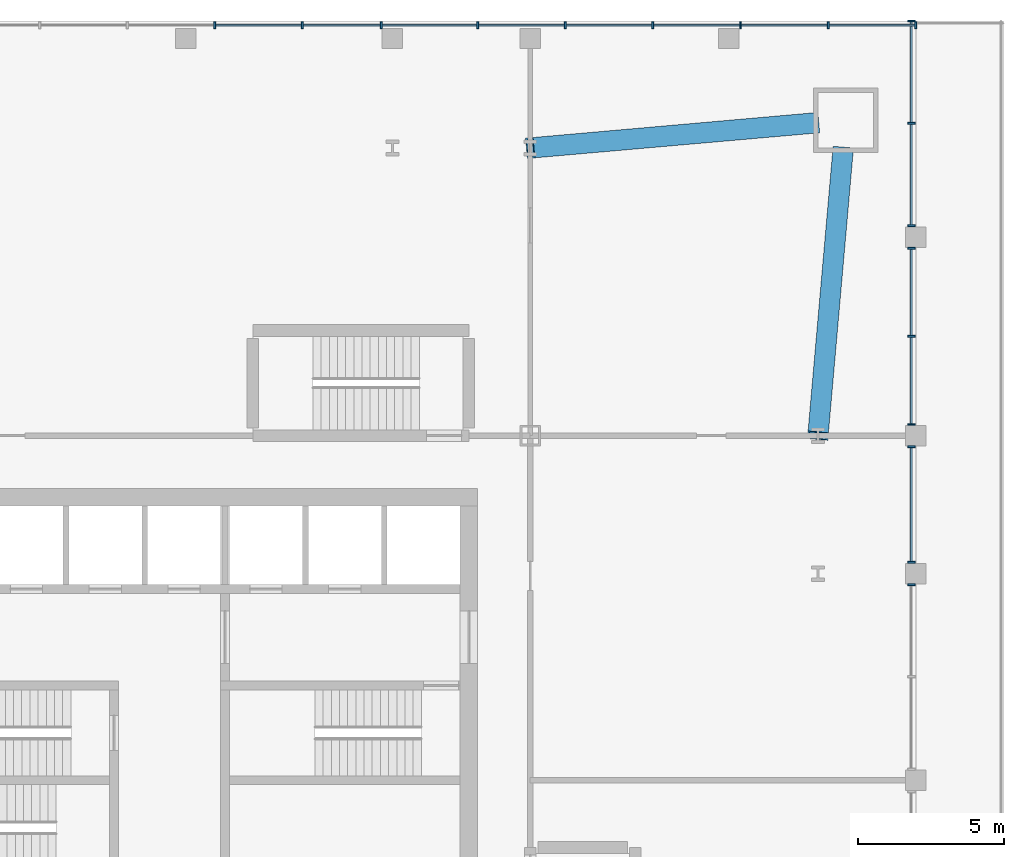
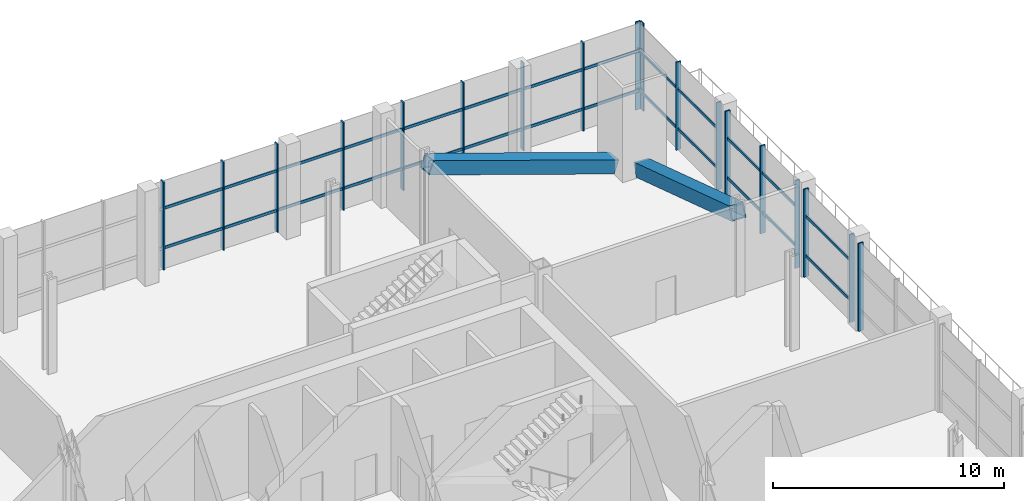
# One storey, part 5 of 12: 46 members, 5 elements without a shape of their own.
"""IFC4 building model written with IfcOpenShell, lengths in metres."""

from ifc_helpers import new_model, si_unit, direction, frame, origin, origin_2d, place, context, subcontext, project, spatial, rectangle, hollow_rectangle, extrude, material, material_profile, profile_set, type_object, element, aggregate, save


model = new_model("IFC4")

# Units and contexts
model_context = context("Model", 3, precision=1e-05, world=origin(), true_north=direction((0.0, 1.0)))
body_context = subcontext(model_context, "Body", "Model", "MODEL_VIEW")
ifc_project = project(units=[si_unit("LENGTHUNIT", "METRE"), si_unit("AREAUNIT", "SQUARE_METRE"), si_unit("VOLUMEUNIT", "CUBIC_METRE"), si_unit("PLANEANGLEUNIT", "RADIAN"), si_unit("MASSUNIT", "GRAM", prefix="KILO")], contexts=[model_context])

# Site, building, storey
site_placement = place(None, origin())
site = spatial("IfcSite", under=ifc_project, at=site_placement, CompositionType="ELEMENT")
building_placement = place(site_placement, origin())
building = spatial("IfcBuilding", under=site, at=building_placement, Name="Turquesa Mirador Hotel Tower", CompositionType="ELEMENT")
storey_placement = place(building_placement, frame((0.0, 0.0, 11.0)))
storey = spatial("IfcBuildingStorey", under=building, at=storey_placement, Name="L02", CompositionType="ELEMENT", Elevation=11.0)

# Curtain wall, member
ifc_material_1 = material(Name="Aluminium extrusion", Category="aluminium")
curtain_wall_type = type_object("IfcCurtainWallType", Name="CW-2 PODIUM CURTAIN WALL", PredefinedType="USERDEFINED", material=ifc_material_1)
curtain_wall_1_placement = place(storey_placement, origin())
curtain_wall_1 = element("IfcCurtainWall", 1, at=curtain_wall_1_placement, inside=storey, type_object=curtain_wall_type, Name="CW-2 PODIUM CURTAIN WALL L02", ObjectType="CURTAIN WALL", PredefinedType="USERDEFINED")
ifc_material_2 = material(Name="Aluminium extrusion", Category="aluminium")
ifc_material_profile_1 = material_profile(ifc_material_2, rectangle(XDim=0.06494140625, YDim=0.25, at=origin_2d()), Name="MULLION 65X250")
ifc_profile_set_1 = profile_set([ifc_material_profile_1], Name="Aluminium extrusion")
member_type_1 = type_object("IfcMemberType", Name="CW MULLION 65X250", PredefinedType="MULLION", material=ifc_profile_set_1)
member_1_placement = place(storey_placement, frame((79.85009765625, 51.695556640625, 0.0), z_axis=(0.0, 0.0, 1.0), x_axis=(0.0, 1.0, 0.0)))
member_1 = element("IfcMember", 2, at=member_1_placement, type_object=member_type_1, Name="Mullion", PredefinedType="MULLION", context=body_context, shape_type="SweptSolid", body=[
    extrude(rectangle(XDim=0.06494140625, YDim=0.25, at=origin_2d()), origin(), (0.0, 0.0, 1.0), 4.64990234375),
])
aggregate(curtain_wall_1, [member_1])

# Curtain wall, members
curtain_wall_2_placement = place(storey_placement, origin())
curtain_wall_2 = element("IfcCurtainWall", 3, at=curtain_wall_2_placement, inside=storey, type_object=curtain_wall_type, Name="CW-2 PODIUM CURTAIN WALL L02", ObjectType="CURTAIN WALL", PredefinedType="USERDEFINED")
member_2_placement = place(storey_placement, frame((79.85009765625, 52.464599609375, 0.0), z_axis=(0.0, 0.0, 1.0), x_axis=(0.0, 1.0, 0.0)))
member_2 = element("IfcMember", 4, at=member_2_placement, type_object=member_type_1, Name="Mullion", PredefinedType="MULLION", context=body_context, shape_type="SweptSolid", body=[
    extrude(rectangle(XDim=0.06494140625, YDim=0.25, at=origin_2d()), origin(), (0.0, 0.0, 1.0), 4.64990234375),
])
member_3_placement = place(storey_placement, frame((79.85009765625, 56.41552734375, 0.0), z_axis=(0.0, 0.0, 1.0), x_axis=(0.0, 1.0, 0.0)))
member_3 = element("IfcMember", 5, at=member_3_placement, type_object=member_type_1, Name="Mullion", PredefinedType="MULLION", context=body_context, shape_type="SweptSolid", body=[
    extrude(rectangle(XDim=0.06494140625, YDim=0.25, at=origin_2d()), origin(), (0.0, 0.0, 1.0), 4.64990234375),
])

curtain_wall_3_placement = place(storey_placement, origin())
curtain_wall_3 = element("IfcCurtainWall", 6, at=curtain_wall_3_placement, inside=storey, type_object=curtain_wall_type, Name="CW-2 PODIUM CURTAIN WALL L02", ObjectType="CURTAIN WALL", PredefinedType="USERDEFINED")
member_4_placement = place(storey_placement, frame((79.85009765625, 57.1845703125, 0.0), z_axis=(0.0, 0.0, 1.0), x_axis=(0.0, 1.0, 0.0)))
member_4 = element("IfcMember", 7, at=member_4_placement, type_object=member_type_1, Name="Mullion", PredefinedType="MULLION", context=body_context, shape_type="SweptSolid", body=[
    extrude(rectangle(XDim=0.06494140625, YDim=0.25, at=origin_2d()), origin(), (0.0, 0.0, 1.0), 4.64990234375),
])
member_5_placement = place(storey_placement, frame((79.85009765625, 60.199951171875, 0.0), z_axis=(0.0, 0.0, 1.0), x_axis=(0.0, 1.0, 0.0)))
member_5 = element("IfcMember", 8, at=member_5_placement, type_object=member_type_1, Name="Mullion", PredefinedType="MULLION", context=body_context, shape_type="SweptSolid", body=[
    extrude(rectangle(XDim=0.06494140625, YDim=0.25, at=origin_2d()), origin(), (0.0, 0.0, 1.0), 4.64990234375),
])
member_6_placement = place(storey_placement, frame((79.85009765625, 63.215576171875, 0.0), z_axis=(0.0, 0.0, 1.0), x_axis=(0.0, 1.0, 0.0)))
member_6 = element("IfcMember", 9, at=member_6_placement, type_object=member_type_1, Name="Mullion", PredefinedType="MULLION", context=body_context, shape_type="SweptSolid", body=[
    extrude(rectangle(XDim=0.06494140625, YDim=0.25, at=origin_2d()), origin(), (0.0, 0.0, 1.0), 4.64990234375),
])

curtain_wall_4_placement = place(storey_placement, origin())
curtain_wall_4 = element("IfcCurtainWall", 10, at=curtain_wall_4_placement, inside=storey, type_object=curtain_wall_type, Name="CW-2 PODIUM CURTAIN WALL L02", ObjectType="CURTAIN WALL", PredefinedType="USERDEFINED")
member_7_placement = place(storey_placement, frame((79.85009765625, 63.984619140625, 0.0), z_axis=(0.0, 0.0, 1.0), x_axis=(0.0, 1.0, 0.0)))
member_7 = element("IfcMember", 11, at=member_7_placement, type_object=member_type_1, Name="Mullion", PredefinedType="MULLION", context=body_context, shape_type="SweptSolid", body=[
    extrude(rectangle(XDim=0.06494140625, YDim=0.25, at=origin_2d()), origin(), (0.0, 0.0, 1.0), 4.64990234375),
])
member_8_placement = place(storey_placement, frame((79.85009765625, 67.4921875, 0.0), z_axis=(0.0, 0.0, 1.0), x_axis=(0.0, 1.0, 0.0)))
member_8 = element("IfcMember", 12, at=member_8_placement, type_object=member_type_1, Name="Mullion", PredefinedType="MULLION", context=body_context, shape_type="SweptSolid", body=[
    extrude(rectangle(XDim=0.06494140625, YDim=0.25, at=origin_2d()), origin(), (0.0, 0.0, 1.0), 4.64990234375),
])
member_9_placement = place(storey_placement, frame((79.85009765625, 71.0, 0.0), z_axis=(0.0, 0.0, 1.0), x_axis=(0.0, 1.0, 0.0)))
member_9 = element("IfcMember", 13, at=member_9_placement, type_object=member_type_1, Name="Mullion", PredefinedType="MULLION", context=body_context, shape_type="SweptSolid", body=[
    extrude(rectangle(XDim=0.06494140625, YDim=0.25, at=origin_2d()), origin(), (0.0, 0.0, 1.0), 4.64990234375),
])

curtain_wall_5_placement = place(storey_placement, origin())
curtain_wall_5 = element("IfcCurtainWall", 14, at=curtain_wall_5_placement, inside=storey, type_object=curtain_wall_type, Name="CW-2 PODIUM CURTAIN WALL L02", ObjectType="CURTAIN WALL", PredefinedType="USERDEFINED")
member_10_placement = place(storey_placement, frame((80.0, 70.85009765625, 0.0), z_axis=(0.0, 0.0, 1.0), x_axis=(-1.0, 0.0, 0.0)))
member_10 = element("IfcMember", 15, at=member_10_placement, type_object=member_type_1, Name="Mullion", PredefinedType="MULLION", context=body_context, shape_type="SweptSolid", body=[
    extrude(rectangle(XDim=0.06494140625, YDim=0.25, at=origin_2d()), origin(), (0.0, 0.0, 1.0), 4.64990234375),
])
member_11_placement = place(storey_placement, frame((77.0, 70.85009765625, 0.0), z_axis=(0.0, 0.0, 1.0), x_axis=(-1.0, 0.0, 0.0)))
member_11 = element("IfcMember", 16, at=member_11_placement, type_object=member_type_1, Name="Mullion", PredefinedType="MULLION", context=body_context, shape_type="SweptSolid", body=[
    extrude(rectangle(XDim=0.06494140625, YDim=0.25, at=origin_2d()), origin(), (0.0, 0.0, 1.0), 4.64990234375),
])
member_12_placement = place(storey_placement, frame((74.0, 70.85009765625, 0.0), z_axis=(0.0, 0.0, 1.0), x_axis=(-1.0, 0.0, 0.0)))
member_12 = element("IfcMember", 17, at=member_12_placement, type_object=member_type_1, Name="Mullion", PredefinedType="MULLION", context=body_context, shape_type="SweptSolid", body=[
    extrude(rectangle(XDim=0.06494140625, YDim=0.25, at=origin_2d()), origin(), (0.0, 0.0, 1.0), 4.64990234375),
])
member_13_placement = place(storey_placement, frame((71.0, 70.85009765625, 0.0), z_axis=(0.0, 0.0, 1.0), x_axis=(-1.0, 0.0, 0.0)))
member_13 = element("IfcMember", 18, at=member_13_placement, type_object=member_type_1, Name="Mullion", PredefinedType="MULLION", context=body_context, shape_type="SweptSolid", body=[
    extrude(rectangle(XDim=0.06494140625, YDim=0.25, at=origin_2d()), origin(), (0.0, 0.0, 1.0), 4.64990234375),
])
member_14_placement = place(storey_placement, frame((68.0, 70.85009765625, 0.0), z_axis=(0.0, 0.0, 1.0), x_axis=(-1.0, 0.0, 0.0)))
member_14 = element("IfcMember", 19, at=member_14_placement, type_object=member_type_1, Name="Mullion", PredefinedType="MULLION", context=body_context, shape_type="SweptSolid", body=[
    extrude(rectangle(XDim=0.06494140625, YDim=0.25, at=origin_2d()), origin(), (0.0, 0.0, 1.0), 4.64990234375),
])
member_15_placement = place(storey_placement, frame((65.0, 70.85009765625, 0.0), z_axis=(0.0, 0.0, 1.0), x_axis=(-1.0, 0.0, 0.0)))
member_15 = element("IfcMember", 20, at=member_15_placement, type_object=member_type_1, Name="Mullion", PredefinedType="MULLION", context=body_context, shape_type="SweptSolid", body=[
    extrude(rectangle(XDim=0.06494140625, YDim=0.25, at=origin_2d()), origin(), (0.0, 0.0, 1.0), 4.64990234375),
])
member_16_placement = place(storey_placement, frame((61.695556640625, 70.85009765625, 0.0), z_axis=(0.0, 0.0, 1.0), x_axis=(-1.0, 0.0, 0.0)))
member_16 = element("IfcMember", 21, at=member_16_placement, type_object=member_type_1, Name="Mullion", PredefinedType="MULLION", context=body_context, shape_type="SweptSolid", body=[
    extrude(rectangle(XDim=0.06494140625, YDim=0.25, at=origin_2d()), origin(), (0.0, 0.0, 1.0), 4.64990234375),
])
member_17_placement = place(storey_placement, frame((59.0, 70.85009765625, 0.0), z_axis=(0.0, 0.0, 1.0), x_axis=(-1.0, 0.0, 0.0)))
member_17 = element("IfcMember", 22, at=member_17_placement, type_object=member_type_1, Name="Mullion", PredefinedType="MULLION", context=body_context, shape_type="SweptSolid", body=[
    extrude(rectangle(XDim=0.06494140625, YDim=0.25, at=origin_2d()), origin(), (0.0, 0.0, 1.0), 4.64990234375),
])
member_18_placement = place(storey_placement, frame((56.0, 70.85009765625, 0.0), z_axis=(0.0, 0.0, 1.0), x_axis=(-1.0, 0.0, 0.0)))
member_18 = element("IfcMember", 23, at=member_18_placement, type_object=member_type_1, Name="Mullion", PredefinedType="MULLION", context=body_context, shape_type="SweptSolid", body=[
    extrude(rectangle(XDim=0.06494140625, YDim=0.25, at=origin_2d()), origin(), (0.0, 0.0, 1.0), 4.64990234375),
])

# Member
ifc_material_3 = material(Name="Aluminium extrusion", Category="aluminium")
ifc_material_profile_2 = material_profile(ifc_material_3, rectangle(XDim=0.06494140625, YDim=0.14990234375, at=origin_2d()), Name="TRANSOM 65X150")
ifc_profile_set_2 = profile_set([ifc_material_profile_2], Name="Aluminium extrusion")
member_type_2 = type_object("IfcMemberType", Name="CW TRANSOM 65X150", PredefinedType="USERDEFINED", material=ifc_profile_set_2)
member_19_placement = place(storey_placement, frame((79.85009765625, 52.4970703125, 1.10009765625), z_axis=(0.0, 1.0, 0.0), x_axis=(-1.0, 0.0, 0.0)))
member_19 = element("IfcMember", 24, at=member_19_placement, type_object=member_type_2, Name="Transom", ObjectType="TRANSOM", PredefinedType="USERDEFINED", context=body_context, shape_type="SweptSolid", body=[
    extrude(rectangle(XDim=0.06494140625, YDim=0.14990234375, at=origin_2d()), origin(), (0.0, 0.0, 1.0), 3.885986328125),
])

member_20_placement = place(storey_placement, frame((79.85009765625, 52.4970703125, 3.199951171875), z_axis=(0.0, 1.0, 0.0), x_axis=(-1.0, 0.0, 0.0)))
member_20 = element("IfcMember", 25, at=member_20_placement, type_object=member_type_2, Name="Transom", ObjectType="TRANSOM", PredefinedType="USERDEFINED", context=body_context, shape_type="SweptSolid", body=[
    extrude(rectangle(XDim=0.06494140625, YDim=0.14990234375, at=origin_2d()), origin(), (0.0, 0.0, 1.0), 3.885986328125),
])

aggregate(curtain_wall_2, [member_2, member_3, member_19, member_20])

member_21_placement = place(storey_placement, frame((79.85009765625, 57.217041015625, 1.10009765625), z_axis=(0.0, 1.0, 0.0), x_axis=(-1.0, 0.0, 0.0)))
member_21 = element("IfcMember", 26, at=member_21_placement, type_object=member_type_2, Name="Transom", ObjectType="TRANSOM", PredefinedType="USERDEFINED", context=body_context, shape_type="SweptSolid", body=[
    extrude(rectangle(XDim=0.06494140625, YDim=0.14990234375, at=origin_2d()), origin(), (0.0, 0.0, 1.0), 2.950439453125),
])

member_22_placement = place(storey_placement, frame((79.85009765625, 57.217041015625, 3.199951171875), z_axis=(0.0, 1.0, 0.0), x_axis=(-1.0, 0.0, 0.0)))
member_22 = element("IfcMember", 27, at=member_22_placement, type_object=member_type_2, Name="Transom", ObjectType="TRANSOM", PredefinedType="USERDEFINED", context=body_context, shape_type="SweptSolid", body=[
    extrude(rectangle(XDim=0.06494140625, YDim=0.14990234375, at=origin_2d()), origin(), (0.0, 0.0, 1.0), 2.950439453125),
])

member_23_placement = place(storey_placement, frame((79.85009765625, 60.232421875, 1.10009765625), z_axis=(0.0, 1.0, 0.0), x_axis=(-1.0, 0.0, 0.0)))
member_23 = element("IfcMember", 28, at=member_23_placement, type_object=member_type_2, Name="Transom", ObjectType="TRANSOM", PredefinedType="USERDEFINED", context=body_context, shape_type="SweptSolid", body=[
    extrude(rectangle(XDim=0.06494140625, YDim=0.14990234375, at=origin_2d()), origin(), (0.0, 0.0, 1.0), 2.95068359375),
])

member_24_placement = place(storey_placement, frame((79.85009765625, 60.232421875, 3.199951171875), z_axis=(0.0, 1.0, 0.0), x_axis=(-1.0, 0.0, 0.0)))
member_24 = element("IfcMember", 29, at=member_24_placement, type_object=member_type_2, Name="Transom", ObjectType="TRANSOM", PredefinedType="USERDEFINED", context=body_context, shape_type="SweptSolid", body=[
    extrude(rectangle(XDim=0.06494140625, YDim=0.14990234375, at=origin_2d()), origin(), (0.0, 0.0, 1.0), 2.95068359375),
])

aggregate(curtain_wall_3, [member_4, member_5, member_6, member_21, member_22, member_23, member_24])

member_25_placement = place(storey_placement, frame((79.85009765625, 64.01708984375, 1.10009765625), z_axis=(0.0, 1.0, 0.0), x_axis=(-1.0, 0.0, 0.0)))
member_25 = element("IfcMember", 30, at=member_25_placement, type_object=member_type_2, Name="Transom", ObjectType="TRANSOM", PredefinedType="USERDEFINED", context=body_context, shape_type="SweptSolid", body=[
    extrude(rectangle(XDim=0.06494140625, YDim=0.14990234375, at=origin_2d()), origin(), (0.0, 0.0, 1.0), 3.442626953125),
])

member_26_placement = place(storey_placement, frame((79.85009765625, 64.01708984375, 3.199951171875), z_axis=(0.0, 1.0, 0.0), x_axis=(-1.0, 0.0, 0.0)))
member_26 = element("IfcMember", 31, at=member_26_placement, type_object=member_type_2, Name="Transom", ObjectType="TRANSOM", PredefinedType="USERDEFINED", context=body_context, shape_type="SweptSolid", body=[
    extrude(rectangle(XDim=0.06494140625, YDim=0.14990234375, at=origin_2d()), origin(), (0.0, 0.0, 1.0), 3.442626953125),
])

member_27_placement = place(storey_placement, frame((79.85009765625, 67.524658203125, 1.10009765625), z_axis=(0.0, 1.0, 0.0), x_axis=(-1.0, 0.0, 0.0)))
member_27 = element("IfcMember", 32, at=member_27_placement, type_object=member_type_2, Name="Transom", ObjectType="TRANSOM", PredefinedType="USERDEFINED", context=body_context, shape_type="SweptSolid", body=[
    extrude(rectangle(XDim=0.06494140625, YDim=0.14990234375, at=origin_2d()), origin(), (0.0, 0.0, 1.0), 3.44287109375),
])

member_28_placement = place(storey_placement, frame((79.85009765625, 67.524658203125, 3.199951171875), z_axis=(0.0, 1.0, 0.0), x_axis=(-1.0, 0.0, 0.0)))
member_28 = element("IfcMember", 33, at=member_28_placement, type_object=member_type_2, Name="Transom", ObjectType="TRANSOM", PredefinedType="USERDEFINED", context=body_context, shape_type="SweptSolid", body=[
    extrude(rectangle(XDim=0.06494140625, YDim=0.14990234375, at=origin_2d()), origin(), (0.0, 0.0, 1.0), 3.44287109375),
])

aggregate(curtain_wall_4, [member_7, member_8, member_9, member_25, member_26, member_27, member_28])

member_29_placement = place(storey_placement, frame((79.967529296875, 70.85009765625, 1.10009765625), z_axis=(-1.0, 0.0, 0.0), x_axis=(0.0, -1.0, 0.0)))
member_29 = element("IfcMember", 34, at=member_29_placement, type_object=member_type_2, Name="Transom", ObjectType="TRANSOM", PredefinedType="USERDEFINED", context=body_context, shape_type="SweptSolid", body=[
    extrude(rectangle(XDim=0.06494140625, YDim=0.14990234375, at=origin_2d()), origin(), (0.0, 0.0, 1.0), 2.93505859375),
])

member_30_placement = place(storey_placement, frame((79.967529296875, 70.85009765625, 3.199951171875), z_axis=(-1.0, 0.0, 0.0), x_axis=(0.0, -1.0, 0.0)))
member_30 = element("IfcMember", 35, at=member_30_placement, type_object=member_type_2, Name="Transom", ObjectType="TRANSOM", PredefinedType="USERDEFINED", context=body_context, shape_type="SweptSolid", body=[
    extrude(rectangle(XDim=0.06494140625, YDim=0.14990234375, at=origin_2d()), origin(), (0.0, 0.0, 1.0), 2.93505859375),
])

member_31_placement = place(storey_placement, frame((76.967529296875, 70.85009765625, 1.10009765625), z_axis=(-1.0, 0.0, 0.0), x_axis=(0.0, -1.0, 0.0)))
member_31 = element("IfcMember", 36, at=member_31_placement, type_object=member_type_2, Name="Transom", ObjectType="TRANSOM", PredefinedType="USERDEFINED", context=body_context, shape_type="SweptSolid", body=[
    extrude(rectangle(XDim=0.06494140625, YDim=0.14990234375, at=origin_2d()), origin(), (0.0, 0.0, 1.0), 2.93505859375),
])

member_32_placement = place(storey_placement, frame((76.967529296875, 70.85009765625, 3.199951171875), z_axis=(-1.0, 0.0, 0.0), x_axis=(0.0, -1.0, 0.0)))
member_32 = element("IfcMember", 37, at=member_32_placement, type_object=member_type_2, Name="Transom", ObjectType="TRANSOM", PredefinedType="USERDEFINED", context=body_context, shape_type="SweptSolid", body=[
    extrude(rectangle(XDim=0.06494140625, YDim=0.14990234375, at=origin_2d()), origin(), (0.0, 0.0, 1.0), 2.93505859375),
])

member_33_placement = place(storey_placement, frame((73.967529296875, 70.85009765625, 1.10009765625), z_axis=(-1.0, 0.0, 0.0), x_axis=(0.0, -1.0, 0.0)))
member_33 = element("IfcMember", 38, at=member_33_placement, type_object=member_type_2, Name="Transom", ObjectType="TRANSOM", PredefinedType="USERDEFINED", context=body_context, shape_type="SweptSolid", body=[
    extrude(rectangle(XDim=0.06494140625, YDim=0.14990234375, at=origin_2d()), origin(), (0.0, 0.0, 1.0), 2.93505859375),
])

member_34_placement = place(storey_placement, frame((73.967529296875, 70.85009765625, 3.199951171875), z_axis=(-1.0, 0.0, 0.0), x_axis=(0.0, -1.0, 0.0)))
member_34 = element("IfcMember", 39, at=member_34_placement, type_object=member_type_2, Name="Transom", ObjectType="TRANSOM", PredefinedType="USERDEFINED", context=body_context, shape_type="SweptSolid", body=[
    extrude(rectangle(XDim=0.06494140625, YDim=0.14990234375, at=origin_2d()), origin(), (0.0, 0.0, 1.0), 2.93505859375),
])

member_35_placement = place(storey_placement, frame((70.967529296875, 70.85009765625, 1.10009765625), z_axis=(-1.0, 0.0, 0.0), x_axis=(0.0, -1.0, 0.0)))
member_35 = element("IfcMember", 40, at=member_35_placement, type_object=member_type_2, Name="Transom", ObjectType="TRANSOM", PredefinedType="USERDEFINED", context=body_context, shape_type="SweptSolid", body=[
    extrude(rectangle(XDim=0.06494140625, YDim=0.14990234375, at=origin_2d()), origin(), (0.0, 0.0, 1.0), 2.93505859375),
])

member_36_placement = place(storey_placement, frame((70.967529296875, 70.85009765625, 3.199951171875), z_axis=(-1.0, 0.0, 0.0), x_axis=(0.0, -1.0, 0.0)))
member_36 = element("IfcMember", 41, at=member_36_placement, type_object=member_type_2, Name="Transom", ObjectType="TRANSOM", PredefinedType="USERDEFINED", context=body_context, shape_type="SweptSolid", body=[
    extrude(rectangle(XDim=0.06494140625, YDim=0.14990234375, at=origin_2d()), origin(), (0.0, 0.0, 1.0), 2.93505859375),
])

member_37_placement = place(storey_placement, frame((67.967529296875, 70.85009765625, 1.10009765625), z_axis=(-1.0, 0.0, 0.0), x_axis=(0.0, -1.0, 0.0)))
member_37 = element("IfcMember", 42, at=member_37_placement, type_object=member_type_2, Name="Transom", ObjectType="TRANSOM", PredefinedType="USERDEFINED", context=body_context, shape_type="SweptSolid", body=[
    extrude(rectangle(XDim=0.06494140625, YDim=0.14990234375, at=origin_2d()), origin(), (0.0, 0.0, 1.0), 2.93505859375),
])

member_38_placement = place(storey_placement, frame((67.967529296875, 70.85009765625, 3.199951171875), z_axis=(-1.0, 0.0, 0.0), x_axis=(0.0, -1.0, 0.0)))
member_38 = element("IfcMember", 43, at=member_38_placement, type_object=member_type_2, Name="Transom", ObjectType="TRANSOM", PredefinedType="USERDEFINED", context=body_context, shape_type="SweptSolid", body=[
    extrude(rectangle(XDim=0.06494140625, YDim=0.14990234375, at=origin_2d()), origin(), (0.0, 0.0, 1.0), 2.93505859375),
])

member_39_placement = place(storey_placement, frame((64.967529296875, 70.85009765625, 1.10009765625), z_axis=(-1.0, 0.0, 0.0), x_axis=(0.0, -1.0, 0.0)))
member_39 = element("IfcMember", 44, at=member_39_placement, type_object=member_type_2, Name="Transom", ObjectType="TRANSOM", PredefinedType="USERDEFINED", context=body_context, shape_type="SweptSolid", body=[
    extrude(rectangle(XDim=0.06494140625, YDim=0.14990234375, at=origin_2d()), origin(), (0.0, 0.0, 1.0), 3.239501953125),
])

member_40_placement = place(storey_placement, frame((64.967529296875, 70.85009765625, 3.199951171875), z_axis=(-1.0, 0.0, 0.0), x_axis=(0.0, -1.0, 0.0)))
member_40 = element("IfcMember", 45, at=member_40_placement, type_object=member_type_2, Name="Transom", ObjectType="TRANSOM", PredefinedType="USERDEFINED", context=body_context, shape_type="SweptSolid", body=[
    extrude(rectangle(XDim=0.06494140625, YDim=0.14990234375, at=origin_2d()), origin(), (0.0, 0.0, 1.0), 3.239501953125),
])

member_41_placement = place(storey_placement, frame((61.6630859375, 70.85009765625, 1.10009765625), z_axis=(-1.0, 0.0, 0.0), x_axis=(0.0, -1.0, 0.0)))
member_41 = element("IfcMember", 46, at=member_41_placement, type_object=member_type_2, Name="Transom", ObjectType="TRANSOM", PredefinedType="USERDEFINED", context=body_context, shape_type="SweptSolid", body=[
    extrude(rectangle(XDim=0.06494140625, YDim=0.14990234375, at=origin_2d()), origin(), (0.0, 0.0, 1.0), 2.630615234375),
])

member_42_placement = place(storey_placement, frame((61.6630859375, 70.85009765625, 3.199951171875), z_axis=(-1.0, 0.0, 0.0), x_axis=(0.0, -1.0, 0.0)))
member_42 = element("IfcMember", 47, at=member_42_placement, type_object=member_type_2, Name="Transom", ObjectType="TRANSOM", PredefinedType="USERDEFINED", context=body_context, shape_type="SweptSolid", body=[
    extrude(rectangle(XDim=0.06494140625, YDim=0.14990234375, at=origin_2d()), origin(), (0.0, 0.0, 1.0), 2.630615234375),
])

member_43_placement = place(storey_placement, frame((58.967529296875, 70.85009765625, 1.10009765625), z_axis=(-1.0, 0.0, 0.0), x_axis=(0.0, -1.0, 0.0)))
member_43 = element("IfcMember", 48, at=member_43_placement, type_object=member_type_2, Name="Transom", ObjectType="TRANSOM", PredefinedType="USERDEFINED", context=body_context, shape_type="SweptSolid", body=[
    extrude(rectangle(XDim=0.06494140625, YDim=0.14990234375, at=origin_2d()), origin(), (0.0, 0.0, 1.0), 2.93505859375),
])

member_44_placement = place(storey_placement, frame((58.967529296875, 70.85009765625, 3.199951171875), z_axis=(-1.0, 0.0, 0.0), x_axis=(0.0, -1.0, 0.0)))
member_44 = element("IfcMember", 49, at=member_44_placement, type_object=member_type_2, Name="Transom", ObjectType="TRANSOM", PredefinedType="USERDEFINED", context=body_context, shape_type="SweptSolid", body=[
    extrude(rectangle(XDim=0.06494140625, YDim=0.14990234375, at=origin_2d()), origin(), (0.0, 0.0, 1.0), 2.93505859375),
])

aggregate(curtain_wall_5, [member_10, member_11, member_12, member_13, member_14, member_15, member_16, member_17, member_18, member_29, member_30, member_31, member_32, member_33, member_34, member_35, member_36, member_37, member_38, member_39, member_40, member_41, member_42, member_43, member_44])

# Members
ifc_material_4 = material(Name="Steel ASTM A572 Grade 50", Category="steel")
ifc_material_profile_3 = material_profile(ifc_material_4, hollow_rectangle(XDim=0.699951171875, YDim=0.699951171875, WallThickness=0.06005859375, at=origin_2d()), Name="BOX700X700X60")
ifc_profile_set_3 = profile_set([ifc_material_profile_3], Name="Steel ASTM A572 Grade 50")
member_type_3 = type_object("IfcMemberType", Name="PODIUM BRACE BOX700X700X60", PredefinedType="BRACE", material=ifc_profile_set_3)
for number, where, z_axis, x_axis, name in (
    (50, (76.550048828125, 67.507568359375, 0.41796875), (-0.925977133231, -0.081454268556, 0.368688962227), (0.087627369437, -0.996153323603, 0.0), "Podium brace N"),
    (51, (77.507568359375, 66.550048828125, 0.41796875), (-0.081454268556, -0.925977133231, 0.368688962227), (0.996153323603, -0.087627369437, 0.0), "Podium brace E"),
):
    element("IfcMember", number, at=place(storey_placement, frame(where, z_axis=z_axis, x_axis=x_axis)), inside=storey, type_object=member_type_3, Name=name, PredefinedType="BRACE", context=body_context, shape_type="SweptSolid", body=[
        extrude(hollow_rectangle(XDim=0.699951171875, YDim=0.699951171875, WallThickness=0.06005859375, at=origin_2d()), origin(), (0.0, 0.0, 1.0), 10.529296875),
    ])

save(model, "model.ifc")
